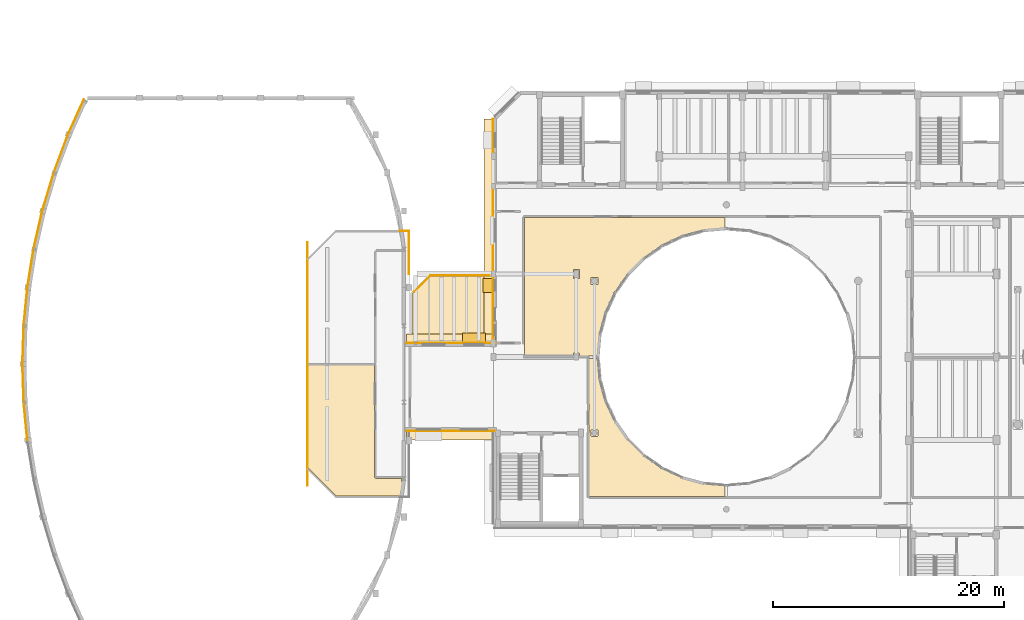
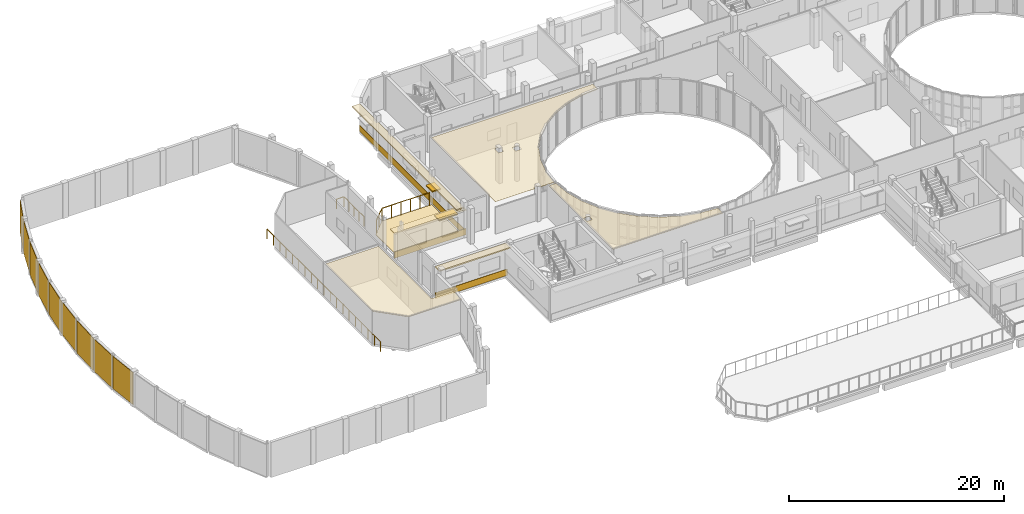
# One storey, part 80 of 92: 19 coverings, 3 railings, 2 shading devices.
"""IFC4 building model written with IfcOpenShell, lengths in metres."""

from ifc_helpers import new_model, si_unit, direction, frame, origin, origin_2d, place, context, subcontext, project, spatial, polyline, rectangle, circle, outline, extrude, material, layer, layer_set, type_object, element, save


model = new_model("IFC4")

# Units and contexts
model_context = context("Model", 3, precision=1e-05, world=origin(), true_north=direction((0.0, 1.0)))
body_context = subcontext(model_context, "Body", "Model", "MODEL_VIEW")
ifc_project = project(units=[si_unit("LENGTHUNIT", "METRE"), si_unit("AREAUNIT", "SQUARE_METRE"), si_unit("VOLUMEUNIT", "CUBIC_METRE"), si_unit("PLANEANGLEUNIT", "RADIAN"), si_unit("MASSUNIT", "GRAM", prefix="KILO")], contexts=[model_context])

# Site, building, storey
site_placement = place(None, origin())
site = spatial("IfcSite", under=ifc_project, at=site_placement, CompositionType="ELEMENT")
building_placement = place(site_placement, origin())
building = spatial("IfcBuilding", under=site, at=building_placement, Name="Kelanivale Promenade Academy", CompositionType="ELEMENT")
storey_placement = place(building_placement, frame((0.0, 0.0, 8.199951171875)))
storey = spatial("IfcBuildingStorey", under=building, at=storey_placement, Name="L02", CompositionType="ELEMENT", Elevation=8.199951171875)

# Coverings
ifc_material_1 = material(Name="Sri Lankan terracotta fluted rainscreen cladding 45 mm", Category="masonry")
ifc_layer_1 = layer(ifc_material_1, 0.044921875)
ifc_layer_set_1 = layer_set([ifc_layer_1], Name="Sri Lankan terracotta fluted rainscreen cladding 45 mm")
covering_type_1 = type_object("IfcCoveringType", Name="COV-CLD1 Sri Lankan terracotta fluted rainscr", PredefinedType="CLADDING", material=ifc_layer_set_1)
covering_1_placement = place(storey_placement, frame((2.64599609375, 51.2119140625, 0.03955078125), z_axis=(0.0, 0.0, 1.0), x_axis=(0.095498287868, -0.995429594203, 0.0)))
element("IfcCovering", 1, at=covering_1_placement, inside=storey, type_object=covering_type_1, Name="Sports Hall Crescent Pavilion fluted terracotta cladding panel", PredefinedType="CLADDING", context=body_context, shape_type="SweptSolid", body=[
    extrude(rectangle(XDim=3.25, YDim=0.044921875, at=origin_2d()), origin(), (0.0, 0.0, 1.0), 3.6650390625),
])
for number, where, z_axis, x_axis, name in (
    (2, (2.43310546875, 54.5380859375, 0.03955078125), (0.0, 0.0, 1.0), (0.03193409516, -0.999489976721, 0.0), "Sports Hall Crescent Pavilion fluted terracotta cladding panel"),
    (3, (2.43310546875, 57.862060546875, 0.03955078125), (0.0, 0.0, 1.0), (-0.03193409516, -0.999489976721, 0.0), "Sports Hall Crescent Pavilion fluted terracotta cladding panel"),
):
    element("IfcCovering", number, at=place(storey_placement, frame(where, z_axis=z_axis, x_axis=x_axis)), inside=storey, type_object=covering_type_1, Name=name, PredefinedType="CLADDING", context=body_context, shape_type="SweptSolid", body=[
        extrude(rectangle(XDim=3.236083984375, YDim=0.044921875, at=origin_2d()), origin(), (0.0, 0.0, 1.0), 3.6650390625),
    ])
covering_2_placement = place(storey_placement, frame((2.64599609375, 61.18798828125, 0.03955078125), z_axis=(0.0, 0.0, 1.0), x_axis=(-0.095498287868, -0.995429594203, 0.0)))
element("IfcCovering", 4, at=covering_2_placement, inside=storey, type_object=covering_type_1, Name="Sports Hall Crescent Pavilion fluted terracotta cladding panel", PredefinedType="CLADDING", context=body_context, shape_type="SweptSolid", body=[
    extrude(rectangle(XDim=3.25, YDim=0.044921875, at=origin_2d()), origin(), (0.0, 0.0, 1.0), 3.6650390625),
])
covering_3_placement = place(storey_placement, frame((3.073974609375, 64.512939453125, 0.03955078125), z_axis=(0.0, 0.0, 1.0), x_axis=(-0.15936430246, -0.987219843349, 0.0)))
element("IfcCovering", 5, at=covering_3_placement, inside=storey, type_object=covering_type_1, Name="Sports Hall Crescent Pavilion fluted terracotta cladding panel", PredefinedType="CLADDING", context=body_context, shape_type="SweptSolid", body=[
    extrude(rectangle(XDim=3.277099609375, YDim=0.044921875, at=origin_2d()), origin(), (0.0, 0.0, 1.0), 3.6650390625),
])
covering_4_placement = place(storey_placement, frame((3.722900390625, 67.837890625, 0.03955078125), z_axis=(0.0, 0.0, 1.0), x_axis=(-0.223250116011, -0.974761194191, 0.0)))
element("IfcCovering", 6, at=covering_4_placement, inside=storey, type_object=covering_type_1, Name="Sports Hall Crescent Pavilion fluted terracotta cladding panel", PredefinedType="CLADDING", context=body_context, shape_type="SweptSolid", body=[
    extrude(rectangle(XDim=3.320068359375, YDim=0.044921875, at=origin_2d()), origin(), (0.0, 0.0, 1.0), 3.6650390625),
])
covering_5_placement = place(storey_placement, frame((4.60205078125, 71.1630859375, 0.03955078125), z_axis=(0.0, 0.0, 1.0), x_axis=(-0.287026159226, -0.957922744234, 0.0)))
element("IfcCovering", 7, at=covering_5_placement, inside=storey, type_object=covering_type_1, Name="Sports Hall Crescent Pavilion fluted terracotta cladding panel", PredefinedType="CLADDING", context=body_context, shape_type="SweptSolid", body=[
    extrude(rectangle(XDim=3.3798828125, YDim=0.044921875, at=origin_2d()), origin(), (0.0, 0.0, 1.0), 3.6650390625),
])
covering_6_placement = place(storey_placement, frame((5.722900390625, 74.488037109375, 0.03955078125), z_axis=(0.0, 0.0, 1.0), x_axis=(-0.350861216412, -0.936427470132, 0.0)))
element("IfcCovering", 8, at=covering_6_placement, inside=storey, type_object=covering_type_1, Name="Sports Hall Crescent Pavilion fluted terracotta cladding panel", PredefinedType="CLADDING", context=body_context, shape_type="SweptSolid", body=[
    extrude(rectangle(XDim=3.4599609375, YDim=0.044921875, at=origin_2d()), origin(), (0.0, 0.0, 1.0), 3.6650390625),
])
covering_7_placement = place(storey_placement, frame((7.031982421875, 77.658935546875, 0.03955078125), z_axis=(0.0, 0.0, 1.0), x_axis=(-0.414375580993, -0.910105970685, 0.0)))
element("IfcCovering", 9, at=covering_7_placement, inside=storey, type_object=covering_type_1, Name="Sports Hall Crescent Pavilion fluted terracotta cladding panel", PredefinedType="CLADDING", context=body_context, shape_type="SweptSolid", body=[
    extrude(rectangle(XDim=3.221923828125, YDim=0.044921875, at=origin_2d()), origin(), (0.0, 0.0, 1.0), 3.6650390625),
])
ifc_material_2 = material(Name="Warm ivory Art Deco stucco frieze band 40 mm", Category="masonry")
ifc_layer_2 = layer(ifc_material_2, 0.0400390625)
ifc_layer_set_2 = layer_set([ifc_layer_2], Name="Warm ivory Art Deco stucco frieze band 40 mm")
covering_type_2 = type_object("IfcCoveringType", Name="COV-CLD2 Warm ivory Art Deco stucco frieze ba", PredefinedType="CLADDING", material=ifc_layer_set_2)
covering_8_placement = place(storey_placement, frame((42.800048828125, 67.76904296875, 3.06494140625), z_axis=(0.0, 0.0, 1.0), x_axis=(0.0, -1.0, 0.0)))
element("IfcCovering", 10, at=covering_8_placement, inside=storey, type_object=covering_type_2, Name="Art Deco projecting 820 mm streamline sunshade eyebrow ledge", PredefinedType="CLADDING", context=body_context, shape_type="SweptSolid", body=[
    extrude(rectangle(XDim=19.3779296875, YDim=0.820068359375, at=origin_2d()), origin(), (0.0, 0.0, 1.0), 0.139892578125),
])
covering_9_placement = place(storey_placement, frame((43.18505859375, 67.76904296875, 0.06005859375), z_axis=(0.0, 0.0, 1.0), x_axis=(0.0, -1.0, 0.0)))
element("IfcCovering", 11, at=covering_9_placement, inside=storey, type_object=covering_type_2, Name="Art Deco ivory stucco sill frieze band", PredefinedType="CLADDING", context=body_context, shape_type="SweptSolid", body=[
    extrude(rectangle(XDim=19.3779296875, YDim=0.0400390625, at=origin_2d()), origin(), (0.0, 0.0, 1.0), 0.719970703125),
])
covering_10_placement = place(storey_placement, frame((39.5400390625, 58.39990234375, 2.80029296875), z_axis=(0.0, 0.0, 1.0), x_axis=(-1.0, 0.0, 0.0)))
element("IfcCovering", 12, at=covering_10_placement, inside=storey, type_object=covering_type_2, Name="Art Deco projecting 820 mm streamline sunshade eyebrow ledge", PredefinedType="CLADDING", context=body_context, shape_type="SweptSolid", body=[
    extrude(rectangle(XDim=7.719970703125, YDim=0.820068359375, at=origin_2d()), origin(), (0.0, 0.0, 1.0), 0.139892578125),
])
covering_11_placement = place(storey_placement, frame((39.5400390625, 58.014892578125, 0.06005859375), z_axis=(0.0, 0.0, 1.0), x_axis=(-1.0, 0.0, 0.0)))
element("IfcCovering", 13, at=covering_11_placement, inside=storey, type_object=covering_type_2, Name="Art Deco ivory stucco sill frieze band", PredefinedType="CLADDING", context=body_context, shape_type="SweptSolid", body=[
    extrude(rectangle(XDim=7.719970703125, YDim=0.0400390625, at=origin_2d()), origin(), (0.0, 0.0, 1.0), 0.719970703125),
])
covering_12_placement = place(storey_placement, frame((39.5400390625, 50.0, 3.6201171875), z_axis=(0.0, 0.0, 1.0), x_axis=(1.0, 0.0, 0.0)))
element("IfcCovering", 14, at=covering_12_placement, inside=storey, type_object=covering_type_2, Name="Art Deco projecting 820 mm streamline sunshade eyebrow ledge", PredefinedType="CLADDING", context=body_context, shape_type="SweptSolid", body=[
    extrude(rectangle(XDim=7.719970703125, YDim=0.820068359375, at=origin_2d()), origin(), (0.0, 0.0, 1.0), 0.139892578125),
])
covering_13_placement = place(storey_placement, frame((39.5400390625, 50.385009765625, 0.06005859375), z_axis=(0.0, 0.0, 1.0), x_axis=(1.0, 0.0, 0.0)))
element("IfcCovering", 15, at=covering_13_placement, inside=storey, type_object=covering_type_2, Name="Art Deco ivory stucco sill frieze band", PredefinedType="CLADDING", context=body_context, shape_type="SweptSolid", body=[
    extrude(rectangle(XDim=7.719970703125, YDim=0.0400390625, at=origin_2d()), origin(), (0.0, 0.0, 1.0), 0.719970703125),
])
ifc_material_3 = material(Name="Acoustic mineral-fibre ceiling tile 25 mm", Category="gypsum")
ifc_layer_3 = layer(ifc_material_3, 0.02490234375)
ifc_layer_set_3 = layer_set([ifc_layer_3], Name="Acoustic mineral-fibre ceiling tile 25 mm")
covering_type_3 = type_object("IfcCoveringType", Name="COV-CLG1 Acoustic mineral-fibre ceiling tile ", PredefinedType="CEILING", material=ifc_layer_set_3)
covering_14_placement = place(storey_placement, frame((0.0, 0.0, 3.550048828125)))
element("IfcCovering", 16, at=covering_14_placement, inside=storey, type_object=covering_type_3, Name="Sports Conditioning Studio acoustic suspended ceiling", PredefinedType="CEILING", context=body_context, shape_type="SweptSolid", body=[
    extrude(outline(polyline([(27.14990234375, 56.090087890625), (27.14990234375, 47.16796875), (29.568115234375, 44.75), (35.2900390625, 44.75), (35.2900390625, 46.0400390625), (35.27587890625, 46.0400390625), (35.27197265625, 46.0400390625), (35.26806640625, 46.041015625), (35.264892578125, 46.041015625), (35.260986328125, 46.04296875), (35.257080078125, 46.0439453125), (35.25390625, 46.0458984375), (35.2509765625, 46.049072265625), (35.248046875, 46.051025390625), (35.2451171875, 46.053955078125), (35.242919921875, 46.05810546875), (35.240966796875, 46.06103515625), (35.239013671875, 46.06396484375), (35.238037109375, 46.068115234375), (35.237060546875, 46.072021484375), (35.236083984375, 46.075927734375), (35.236083984375, 46.080078125), (35.236083984375, 46.2900390625), (33.02392578125, 46.2900390625), (33.01708984375, 46.2900390625), (33.010986328125, 46.291015625), (33.0048828125, 46.2919921875), (32.99609375, 46.2939453125), (32.988037109375, 46.297119140625), (32.985107421875, 46.298095703125), (32.98193359375, 46.299072265625), (32.97705078125, 46.301025390625), (32.971923828125, 46.302978515625), (32.966064453125, 46.304931640625), (32.9609375, 46.30810546875), (32.9560546875, 46.31103515625), (32.947021484375, 46.318115234375), (32.94189453125, 46.322021484375), (32.93505859375, 46.326904296875), (32.930908203125, 46.3310546875), (32.927001953125, 46.3349609375), (32.922119140625, 46.342041015625), (32.91796875, 46.346923828125), (32.910888671875, 46.35595703125), (32.907958984375, 46.361083984375), (32.905029296875, 46.365966796875), (32.903076171875, 46.3720703125), (32.90087890625, 46.376953125), (32.89892578125, 46.382080078125), (32.89794921875, 46.385009765625), (32.89697265625, 46.387939453125), (32.89404296875, 46.39599609375), (32.89208984375, 46.405029296875), (32.89111328125, 46.410888671875), (32.889892578125, 46.4169921875), (32.889892578125, 46.424072265625), (32.889892578125, 56.090087890625), (27.14990234375, 56.090087890625)])), origin(), (0.0, 0.0, 1.0), 0.02490234375),
])
covering_15_placement = place(storey_placement, frame((0.0, 0.0, 3.550048828125)))
element("IfcCovering", 17, at=covering_15_placement, inside=storey, type_object=covering_type_3, Name="Secondary Classroom West A acoustic suspended ceiling", PredefinedType="CEILING", context=body_context, shape_type="SweptSolid", body=[
    extrude(outline(polyline([(54.861083984375, 49.631103515625), (54.85400390625, 49.638916015625), (54.847900390625, 49.64599609375), (53.7529296875, 51.2099609375), (53.7490234375, 51.217041015625), (53.739013671875, 51.235107421875), (53.737060546875, 51.239990234375), (52.928955078125, 52.969970703125), (52.927001953125, 52.97412109375), (52.923095703125, 52.98388671875), (52.919921875, 52.990966796875), (52.9169921875, 53.0009765625), (52.9169921875, 53.0029296875), (52.424072265625, 54.845947265625), (52.4208984375, 54.85498046875), (52.419921875, 54.862060546875), (52.41796875, 54.8701171875), (52.4169921875, 54.8798828125), (52.4169921875, 54.881103515625), (52.259033203125, 56.68994140625), (51.510009765625, 56.68994140625), (51.510009765625, 44.7099609375), (63.2900390625, 44.7099609375), (63.2900390625, 45.658935546875), (61.48095703125, 45.81689453125), (61.47998046875, 45.81689453125), (61.469970703125, 45.818115234375), (61.4619140625, 45.820068359375), (61.455078125, 45.821044921875), (61.446044921875, 45.823974609375), (59.60302734375, 46.31689453125), (59.60107421875, 46.31689453125), (59.591064453125, 46.320068359375), (59.583984375, 46.322998046875), (59.573974609375, 46.326904296875), (59.570068359375, 46.3291015625), (57.840087890625, 47.136962890625), (57.8349609375, 47.138916015625), (57.825927734375, 47.14404296875), (57.81689453125, 47.14892578125), (57.81005859375, 47.153076171875), (56.24609375, 48.248046875), (56.239013671875, 48.25390625), (56.23095703125, 48.260986328125), (56.222900390625, 48.26806640625), (56.218994140625, 48.27099609375), (54.87109375, 49.618896484375), (54.867919921875, 49.623046875), (54.861083984375, 49.631103515625)]), holes=[polyline([(52.212890625, 50.485107421875), (52.217041015625, 50.485107421875), (52.220947265625, 50.48388671875), (52.22509765625, 50.48291015625), (52.22802734375, 50.48193359375), (52.23193359375, 50.47998046875), (52.235107421875, 50.47802734375), (52.238037109375, 50.47607421875), (52.240966796875, 50.472900390625), (52.243896484375, 50.469970703125), (52.24609375, 50.467041015625), (52.248046875, 50.464111328125), (52.25, 50.4599609375), (52.2509765625, 50.45703125), (52.251953125, 50.452880859375), (52.2529296875, 50.448974609375), (52.2529296875, 50.445068359375), (52.2529296875, 49.955078125), (52.2529296875, 49.950927734375), (52.251953125, 49.947021484375), (52.2509765625, 49.943115234375), (52.25, 49.93994140625), (52.248046875, 49.93603515625), (52.24609375, 49.93310546875), (52.243896484375, 49.929931640625), (52.240966796875, 49.927001953125), (52.238037109375, 49.924072265625), (52.235107421875, 49.922119140625), (52.23193359375, 49.919921875), (52.22802734375, 49.91796875), (52.22509765625, 49.9169921875), (52.220947265625, 49.916015625), (52.217041015625, 49.9150390625), (52.212890625, 49.9150390625), (51.722900390625, 49.9150390625), (51.718994140625, 49.9150390625), (51.715087890625, 49.916015625), (51.7109375, 49.9169921875), (51.7080078125, 49.91796875), (51.7041015625, 49.919921875), (51.700927734375, 49.922119140625), (51.697998046875, 49.924072265625), (51.695068359375, 49.927001953125), (51.69189453125, 49.929931640625), (51.68994140625, 49.93310546875), (51.68798828125, 49.93603515625), (51.68603515625, 49.93994140625), (51.68505859375, 49.943115234375), (51.68408203125, 49.947021484375), (51.68310546875, 49.950927734375), (51.68310546875, 49.955078125), (51.68310546875, 50.445068359375), (51.68310546875, 50.448974609375), (51.68408203125, 50.452880859375), (51.68505859375, 50.45703125), (51.68603515625, 50.4599609375), (51.68798828125, 50.464111328125), (51.68994140625, 50.467041015625), (51.69189453125, 50.469970703125), (51.695068359375, 50.472900390625), (51.697998046875, 50.47607421875), (51.700927734375, 50.47802734375), (51.7041015625, 50.47998046875), (51.7080078125, 50.48193359375), (51.7109375, 50.48291015625), (51.715087890625, 50.48388671875), (51.718994140625, 50.485107421875), (51.722900390625, 50.485107421875), (52.212890625, 50.485107421875)])]), origin(), (0.0, 0.0, 1.0), 0.02490234375),
])
covering_16_placement = place(storey_placement, frame((0.0, 0.0, 3.550048828125)))
element("IfcCovering", 18, at=covering_16_placement, inside=storey, type_object=covering_type_3, Name="Secondary Classroom West B acoustic suspended ceiling", PredefinedType="CEILING", context=body_context, shape_type="SweptSolid", body=[
    extrude(outline(polyline([(56.218994140625, 65.3291015625), (56.222900390625, 65.33203125), (56.23095703125, 65.339111328125), (56.239013671875, 65.345947265625), (56.24609375, 65.35205078125), (57.81005859375, 66.447021484375), (57.81689453125, 66.450927734375), (57.825927734375, 66.4560546875), (57.8349609375, 66.4609375), (57.840087890625, 66.462890625), (59.570068359375, 67.27099609375), (59.573974609375, 67.27294921875), (59.583984375, 67.277099609375), (59.591064453125, 67.280029296875), (59.60107421875, 67.282958984375), (59.60302734375, 67.282958984375), (61.446044921875, 67.77587890625), (61.455078125, 67.779052734375), (61.4619140625, 67.780029296875), (61.469970703125, 67.781982421875), (61.47998046875, 67.782958984375), (61.48095703125, 67.782958984375), (63.2900390625, 67.94091796875), (63.2900390625, 68.889892578125), (45.909912109375, 68.889892578125), (45.909912109375, 56.909912109375), (50.139892578125, 56.909912109375), (50.139892578125, 57.094970703125), (50.139892578125, 57.09912109375), (50.14111328125, 57.10302734375), (50.14208984375, 57.10693359375), (50.14306640625, 57.110107421875), (50.14501953125, 57.114013671875), (50.14697265625, 57.116943359375), (50.14892578125, 57.1201171875), (50.152099609375, 57.123046875), (50.155029296875, 57.1259765625), (50.157958984375, 57.1279296875), (50.160888671875, 57.1298828125), (50.1650390625, 57.132080078125), (50.16796875, 57.133056640625), (50.172119140625, 57.134033203125), (50.176025390625, 57.135009765625), (50.179931640625, 57.135009765625), (50.6201171875, 57.135009765625), (50.6240234375, 57.135009765625), (50.6279296875, 57.134033203125), (50.632080078125, 57.133056640625), (50.635009765625, 57.132080078125), (50.638916015625, 57.1298828125), (50.64208984375, 57.1279296875), (50.64501953125, 57.1259765625), (50.64794921875, 57.123046875), (50.65087890625, 57.1201171875), (50.653076171875, 57.116943359375), (50.655029296875, 57.114013671875), (50.656982421875, 57.110107421875), (50.657958984375, 57.10693359375), (50.658935546875, 57.10302734375), (50.659912109375, 57.09912109375), (50.659912109375, 57.094970703125), (50.659912109375, 56.909912109375), (52.259033203125, 56.909912109375), (52.4169921875, 58.718994140625), (52.4169921875, 58.719970703125), (52.41796875, 58.72998046875), (52.419921875, 58.738037109375), (52.4208984375, 58.7451171875), (52.424072265625, 58.75390625), (52.9169921875, 60.596923828125), (52.9169921875, 60.59912109375), (52.919921875, 60.60888671875), (52.923095703125, 60.615966796875), (52.927001953125, 60.6259765625), (52.928955078125, 60.6298828125), (53.737060546875, 62.360107421875), (53.739013671875, 62.364990234375), (53.7490234375, 62.383056640625), (53.7529296875, 62.389892578125), (54.847900390625, 63.9541015625), (54.85400390625, 63.9609375), (54.861083984375, 63.968994140625), (54.867919921875, 63.97705078125), (54.87109375, 63.98095703125), (56.218994140625, 65.3291015625)]), holes=[polyline([(52.278076171875, 63.1298828125), (52.278076171875, 63.1259765625), (52.277099609375, 63.1220703125), (52.27587890625, 63.117919921875), (52.27490234375, 63.114990234375), (52.27294921875, 63.111083984375), (52.27099609375, 63.10791015625), (52.26904296875, 63.10498046875), (52.26611328125, 63.10205078125), (52.262939453125, 63.09912109375), (52.260009765625, 63.096923828125), (52.257080078125, 63.094970703125), (52.2529296875, 63.093017578125), (52.25, 63.092041015625), (52.24609375, 63.091064453125), (52.241943359375, 63.090087890625), (52.238037109375, 63.090087890625), (51.697998046875, 63.090087890625), (51.694091796875, 63.090087890625), (51.68994140625, 63.091064453125), (51.68603515625, 63.092041015625), (51.68310546875, 63.093017578125), (51.678955078125, 63.094970703125), (51.676025390625, 63.096923828125), (51.673095703125, 63.09912109375), (51.669921875, 63.10205078125), (51.6669921875, 63.10498046875), (51.6650390625, 63.10791015625), (51.6630859375, 63.111083984375), (51.660888671875, 63.114990234375), (51.659912109375, 63.117919921875), (51.658935546875, 63.1220703125), (51.657958984375, 63.1259765625), (51.657958984375, 63.1298828125), (51.657958984375, 63.669921875), (51.657958984375, 63.674072265625), (51.658935546875, 63.677978515625), (51.659912109375, 63.681884765625), (51.660888671875, 63.68505859375), (51.6630859375, 63.68896484375), (51.6650390625, 63.69189453125), (51.6669921875, 63.695068359375), (51.669921875, 63.697998046875), (51.673095703125, 63.700927734375), (51.676025390625, 63.702880859375), (51.678955078125, 63.705078125), (51.68310546875, 63.70703125), (51.68603515625, 63.7080078125), (51.68994140625, 63.708984375), (51.694091796875, 63.7099609375), (51.697998046875, 63.7099609375), (52.238037109375, 63.7099609375), (52.241943359375, 63.7099609375), (52.24609375, 63.708984375), (52.25, 63.7080078125), (52.2529296875, 63.70703125), (52.257080078125, 63.705078125), (52.260009765625, 63.702880859375), (52.262939453125, 63.700927734375), (52.26611328125, 63.697998046875), (52.26904296875, 63.695068359375), (52.27099609375, 63.69189453125), (52.27294921875, 63.68896484375), (52.27490234375, 63.68505859375), (52.27587890625, 63.681884765625), (52.277099609375, 63.677978515625), (52.278076171875, 63.674072265625), (52.278076171875, 63.669921875), (52.278076171875, 63.1298828125)]), polyline([(50.6201171875, 64.385009765625), (50.6240234375, 64.385009765625), (50.6279296875, 64.384033203125), (50.632080078125, 64.383056640625), (50.635009765625, 64.382080078125), (50.638916015625, 64.3798828125), (50.64208984375, 64.3779296875), (50.64501953125, 64.3759765625), (50.64794921875, 64.373046875), (50.65087890625, 64.3701171875), (50.653076171875, 64.366943359375), (50.655029296875, 64.364013671875), (50.656982421875, 64.360107421875), (50.657958984375, 64.35693359375), (50.658935546875, 64.35302734375), (50.659912109375, 64.34912109375), (50.659912109375, 64.344970703125), (50.659912109375, 63.655029296875), (50.659912109375, 63.65087890625), (50.658935546875, 63.64697265625), (50.657958984375, 63.64306640625), (50.656982421875, 63.639892578125), (50.655029296875, 63.635986328125), (50.653076171875, 63.633056640625), (50.65087890625, 63.6298828125), (50.64794921875, 63.626953125), (50.64501953125, 63.6240234375), (50.64208984375, 63.6220703125), (50.638916015625, 63.6201171875), (50.635009765625, 63.617919921875), (50.632080078125, 63.616943359375), (50.6279296875, 63.615966796875), (50.6240234375, 63.614990234375), (50.6201171875, 63.614990234375), (50.179931640625, 63.614990234375), (50.176025390625, 63.614990234375), (50.172119140625, 63.615966796875), (50.16796875, 63.616943359375), (50.1650390625, 63.617919921875), (50.160888671875, 63.6201171875), (50.157958984375, 63.6220703125), (50.155029296875, 63.6240234375), (50.152099609375, 63.626953125), (50.14892578125, 63.6298828125), (50.14697265625, 63.633056640625), (50.14501953125, 63.635986328125), (50.14306640625, 63.639892578125), (50.14208984375, 63.64306640625), (50.14111328125, 63.64697265625), (50.139892578125, 63.65087890625), (50.139892578125, 63.655029296875), (50.139892578125, 64.344970703125), (50.139892578125, 64.34912109375), (50.14111328125, 64.35302734375), (50.14208984375, 64.35693359375), (50.14306640625, 64.360107421875), (50.14501953125, 64.364013671875), (50.14697265625, 64.366943359375), (50.14892578125, 64.3701171875), (50.152099609375, 64.373046875), (50.155029296875, 64.3759765625), (50.157958984375, 64.3779296875), (50.160888671875, 64.3798828125), (50.1650390625, 64.382080078125), (50.16796875, 64.383056640625), (50.172119140625, 64.384033203125), (50.176025390625, 64.385009765625), (50.179931640625, 64.385009765625), (50.6201171875, 64.385009765625)])]), origin(), (0.0, 0.0, 1.0), 0.02490234375),
])
ifc_material_4 = material(Name="Impact-absorbing EPDM rooftop Play Deck surfacing 40 mm", Category="masonry")
ifc_layer_4 = layer(ifc_material_4, 0.0400390625)
ifc_layer_set_4 = layer_set([ifc_layer_4], Name="Impact-absorbing EPDM rooftop Play Deck surfacing 40 mm")
covering_type_4 = type_object("IfcCoveringType", Name="COV-FLR3 Impact-absorbing EPDM rooftop Play D", PredefinedType="FLOORING", material=ifc_layer_set_4)
covering_17_placement = place(storey_placement, origin())
element("IfcCovering", 19, at=covering_17_placement, inside=storey, type_object=covering_type_4, Name="Sports Foyer Shoulder Play Deck EPDM safety surfacing", PredefinedType="FLOORING", context=body_context, shape_type="SweptSolid", body=[
    extrude(outline(polyline([(43.06005859375, 58.139892578125), (43.06005859375, 63.860107421875), (37.738037109375, 63.860107421875), (36.139892578125, 62.261962890625), (36.139892578125, 58.139892578125), (43.06005859375, 58.139892578125)])), origin(), (0.0, 0.0, 1.0), 0.0400390625),
])

# Railings
ifc_material_5 = material(Name="Brushed stainless steel grade 316", Category="steel")
railing_type_1 = type_object("IfcRailingType", Name="GR-01 Stair Guard 1100mm", PredefinedType="BALUSTRADE", material=ifc_material_5)
railing_1_placement = place(storey_placement, frame((27.080078125, 45.64990234375, 0.0)))
element("IfcRailing", 20, at=railing_1_placement, inside=storey, type_object=railing_type_1, Name="Sports Viewing Gallery balustrade", PredefinedType="BALUSTRADE", context=body_context, shape_type="SweptSolid", body=[
    extrude(circle(Radius=0.02392578125, at=origin_2d()), frame((0.0, 0.0, 1.09619140625), z_axis=(0.0, 1.0, 0.0), x_axis=(-1.0, 0.0, 0.0)), (0.0, 0.0, 1.0), 21.10009765625),
    extrude(circle(Radius=0.02099609375, at=origin_2d()), origin(), (0.0, 0.0, 1.0), 1.072021484375),
    extrude(circle(Radius=0.02099609375, at=origin_2d()), frame((0.0, 1.172119140625, 0.0)), (0.0, 0.0, 1.0), 1.072021484375),
    extrude(circle(Radius=0.02099609375, at=origin_2d()), frame((0.0, 2.344482421875, 0.0)), (0.0, 0.0, 1.0), 1.072021484375),
    extrude(circle(Radius=0.02099609375, at=origin_2d()), frame((0.0, 3.5166015625, 0.0)), (0.0, 0.0, 1.0), 1.072021484375),
    extrude(circle(Radius=0.02099609375, at=origin_2d()), frame((0.0, 4.68896484375, 0.0)), (0.0, 0.0, 1.0), 1.072021484375),
    extrude(circle(Radius=0.02099609375, at=origin_2d()), frame((0.0, 5.861083984375, 0.0)), (0.0, 0.0, 1.0), 1.072021484375),
    extrude(circle(Radius=0.02099609375, at=origin_2d()), frame((0.0, 7.033447265625, 0.0)), (0.0, 0.0, 1.0), 1.072021484375),
    extrude(circle(Radius=0.02099609375, at=origin_2d()), frame((0.0, 8.20556640625, 0.0)), (0.0, 0.0, 1.0), 1.072021484375),
    extrude(circle(Radius=0.02099609375, at=origin_2d()), frame((0.0, 9.3779296875, 0.0)), (0.0, 0.0, 1.0), 1.072021484375),
    extrude(circle(Radius=0.02099609375, at=origin_2d()), frame((0.0, 10.550048828125, 0.0)), (0.0, 0.0, 1.0), 1.072021484375),
    extrude(circle(Radius=0.02099609375, at=origin_2d()), frame((0.0, 11.72216796875, 0.0)), (0.0, 0.0, 1.0), 1.072021484375),
    extrude(circle(Radius=0.02099609375, at=origin_2d()), frame((0.0, 12.89453125, 0.0)), (0.0, 0.0, 1.0), 1.072021484375),
    extrude(circle(Radius=0.02099609375, at=origin_2d()), frame((0.0, 14.066650390625, 0.0)), (0.0, 0.0, 1.0), 1.072021484375),
    extrude(circle(Radius=0.02099609375, at=origin_2d()), frame((0.0, 15.239013671875, 0.0)), (0.0, 0.0, 1.0), 1.072021484375),
    extrude(circle(Radius=0.02099609375, at=origin_2d()), frame((0.0, 16.4111328125, 0.0)), (0.0, 0.0, 1.0), 1.072021484375),
    extrude(circle(Radius=0.02099609375, at=origin_2d()), frame((0.0, 17.58349609375, 0.0)), (0.0, 0.0, 1.0), 1.072021484375),
    extrude(circle(Radius=0.02099609375, at=origin_2d()), frame((0.0, 18.755615234375, 0.0)), (0.0, 0.0, 1.0), 1.072021484375),
    extrude(circle(Radius=0.02099609375, at=origin_2d()), frame((0.0, 19.927978515625, 0.0)), (0.0, 0.0, 1.0), 1.072021484375),
    extrude(circle(Radius=0.02099609375, at=origin_2d()), frame((0.0, 21.10009765625, 0.0)), (0.0, 0.0, 1.0), 1.072021484375),
])
railing_2_placement = place(storey_placement, frame((35.10009765625, 67.719970703125, 0.0)))
element("IfcRailing", 21, at=railing_2_placement, inside=storey, type_object=railing_type_1, Name="Sports Viewing Gallery north end closure guard", PredefinedType="BALUSTRADE", context=body_context, shape_type="SweptSolid", body=[
    extrude(circle(Radius=0.02392578125, at=origin_2d()), frame((0.0, 0.0, 1.09619140625), z_axis=(1.0, 0.0, 0.0), x_axis=(0.0, 1.0, 0.0)), (0.0, 0.0, 1.0), 0.77978515625),
    extrude(circle(Radius=0.02392578125, at=origin_2d()), frame((0.77978515625, 0.0, 1.09619140625), z_axis=(0.0, -1.0, 0.0), x_axis=(1.0, 0.0, 0.0)), (0.0, 0.0, 1.0), 3.719970703125),
    extrude(circle(Radius=0.02099609375, at=origin_2d()), origin(), (0.0, 0.0, 1.0), 1.072021484375),
    extrude(circle(Radius=0.02099609375, at=origin_2d()), frame((0.77978515625, 0.0, 0.0)), (0.0, 0.0, 1.0), 1.072021484375),
    extrude(circle(Radius=0.02099609375, at=origin_2d()), frame((0.77978515625, -0.929931640625, 0.0)), (0.0, 0.0, 1.0), 1.072021484375),
    extrude(circle(Radius=0.02099609375, at=origin_2d()), frame((0.77978515625, -1.85986328125, 0.0)), (0.0, 0.0, 1.0), 1.072021484375),
    extrude(circle(Radius=0.02099609375, at=origin_2d()), frame((0.77978515625, -2.7900390625, 0.0)), (0.0, 0.0, 1.0), 1.072021484375),
    extrude(circle(Radius=0.02099609375, at=origin_2d()), frame((0.77978515625, -3.719970703125, 0.0)), (0.0, 0.0, 1.0), 1.072021484375),
])
ifc_material_6 = material(Name="Powder-coated galvanized steel and stainless top rail", Category="steel")
railing_type_2 = type_object("IfcRailingType", Name="GR-02 Play Deck Balustrade 1500mm", PredefinedType="BALUSTRADE", material=ifc_material_6)
railing_3_placement = place(storey_placement, frame((36.300048828125, 62.422119140625, 0.0)))
element("IfcRailing", 22, at=railing_3_placement, inside=storey, type_object=railing_type_2, Name="Sports Foyer Shoulder Play Deck 1500 mm safety balustrade", PredefinedType="BALUSTRADE", context=body_context, shape_type="SweptSolid", body=[
    extrude(circle(Radius=0.02392578125, at=origin_2d()), frame((0.0, 0.0, 1.47607421875), z_axis=(0.707106781187, 0.707106781187, 0.0), x_axis=(-0.707106781187, 0.707106781187, 0.0)), (0.0, 0.0, 1.0), 2.03369140625),
    extrude(circle(Radius=0.02392578125, at=origin_2d()), frame((1.43798828125, 1.43798828125, 1.47607421875), z_axis=(1.0, 0.0, 0.0), x_axis=(0.0, 1.0, 0.0)), (0.0, 0.0, 1.0), 5.112060546875),
    extrude(circle(Radius=0.02099609375, at=origin_2d()), origin(), (0.0, 0.0, 1.0), 1.451904296875),
    extrude(circle(Radius=0.02099609375, at=origin_2d()), frame((0.718994140625, 0.718994140625, 0.0)), (0.0, 0.0, 1.0), 1.451904296875),
    extrude(circle(Radius=0.02099609375, at=origin_2d()), frame((1.43798828125, 1.43798828125, 0.0)), (0.0, 0.0, 1.0), 1.451904296875),
    extrude(circle(Radius=0.02099609375, at=origin_2d()), frame((2.46044921875, 1.43798828125, 0.0)), (0.0, 0.0, 1.0), 1.451904296875),
    extrude(circle(Radius=0.02099609375, at=origin_2d()), frame((3.48291015625, 1.43798828125, 0.0)), (0.0, 0.0, 1.0), 1.451904296875),
    extrude(circle(Radius=0.02099609375, at=origin_2d()), frame((4.505126953125, 1.43798828125, 0.0)), (0.0, 0.0, 1.0), 1.451904296875),
    extrude(circle(Radius=0.02099609375, at=origin_2d()), frame((5.527587890625, 1.43798828125, 0.0)), (0.0, 0.0, 1.0), 1.451904296875),
    extrude(circle(Radius=0.02099609375, at=origin_2d()), frame((6.550048828125, 1.43798828125, 0.0)), (0.0, 0.0, 1.0), 1.451904296875),
])

# Shading devices
ifc_material_7 = material(Name="Precast concrete C40/50", Category="concrete")
ifc_layer_5 = layer(ifc_material_7, 0.1201171875)
ifc_layer_set_5 = layer_set([ifc_layer_5], Name="Precast concrete C40/50")
shading_device_type = type_object("IfcShadingDeviceType", Name="SHD-01 Art Deco Sunshade Eyebrow 900mm", PredefinedType="USERDEFINED", material=ifc_layer_set_5)
shading_device_1_placement = place(storey_placement, frame((42.760009765625, 63.010986328125, 2.56005859375), z_axis=(0.0, 0.0, 1.0), x_axis=(0.0, -1.0, 0.0)))
element("IfcShadingDevice", 23, at=shading_device_1_placement, inside=storey, type_object=shading_device_type, Name="Art Deco 900 mm precast chajja window sunshade", ObjectType="SUNSHADE", PredefinedType="USERDEFINED", context=body_context, shape_type="SweptSolid", body=[
    extrude(rectangle(XDim=1.199951171875, YDim=0.89990234375, at=origin_2d()), origin(), (0.0, 0.0, 1.0), 0.1201171875),
])
shading_device_2_placement = place(storey_placement, frame((41.510009765625, 58.43994140625, 2.610107421875), z_axis=(0.0, 0.0, 1.0), x_axis=(-1.0, 0.0, 0.0)))
element("IfcShadingDevice", 24, at=shading_device_2_placement, inside=storey, type_object=shading_device_type, Name="Art Deco 900 mm precast chajja window sunshade", ObjectType="SUNSHADE", PredefinedType="USERDEFINED", context=body_context, shape_type="SweptSolid", body=[
    extrude(rectangle(XDim=2.0, YDim=0.89990234375, at=origin_2d()), origin(), (0.0, 0.0, 1.0), 0.1201171875),
])

save(model, "model.ifc")
